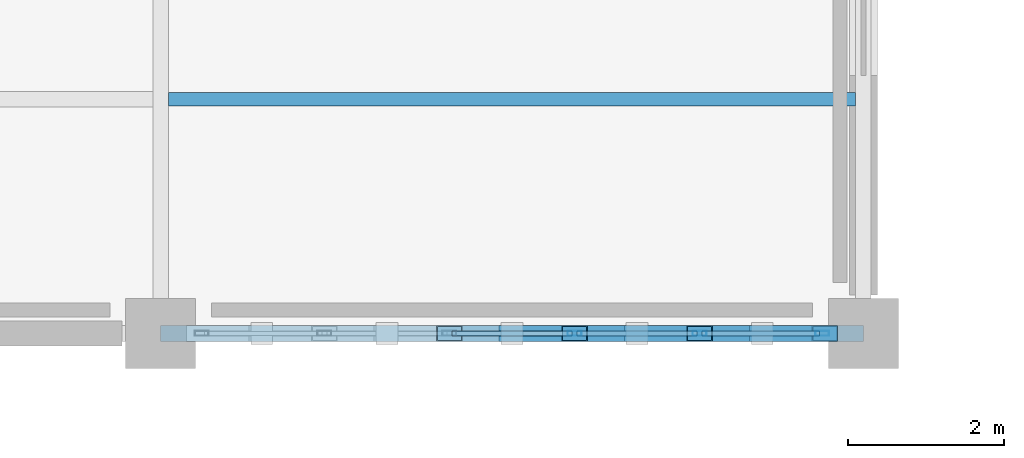
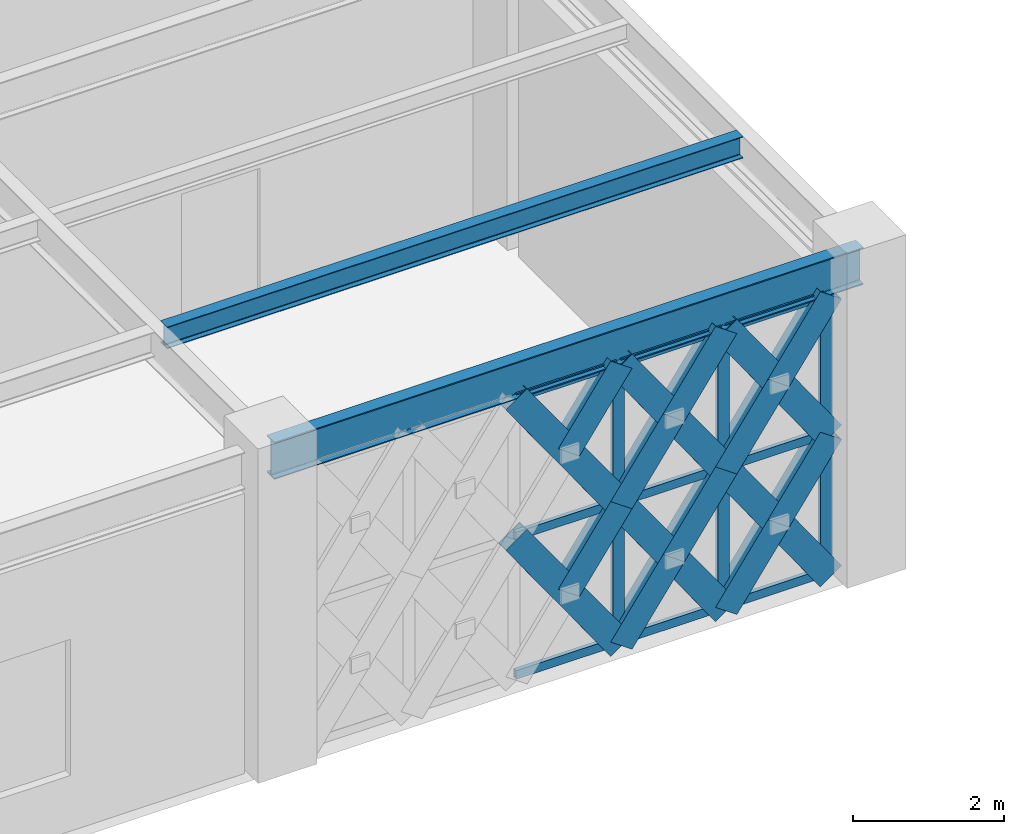
# One storey, part 10 of 166: 28 members, 2 beams, 1 element without a shape of its own.
"""IFC4 building model written with IfcOpenShell, lengths in metres."""

from ifc_helpers import new_model, si_unit, direction, frame, origin, origin_2d, place, context, subcontext, project, spatial, hollow_rectangle, i_section, extrude, material, material_profile, profile_set, type_object, element, aggregate, save


model = new_model("IFC4")

# Units and contexts
model_context = context("Model", 3, precision=1e-05, world=origin(), true_north=direction((0.0, 1.0)))
body_context = subcontext(model_context, "Body", "Model", "MODEL_VIEW")
ifc_project = project(units=[si_unit("LENGTHUNIT", "METRE"), si_unit("AREAUNIT", "SQUARE_METRE"), si_unit("VOLUMEUNIT", "CUBIC_METRE"), si_unit("PLANEANGLEUNIT", "RADIAN"), si_unit("MASSUNIT", "GRAM", prefix="KILO")], contexts=[model_context])

# Site, building, storey
site_placement = place(None, origin())
site = spatial("IfcSite", under=ifc_project, at=site_placement, CompositionType="ELEMENT")
building_placement = place(site_placement, origin())
building = spatial("IfcBuilding", under=site, at=building_placement, Name="Haizhuo Lancet Aquarium", CompositionType="ELEMENT")
storey_placement = place(building_placement, frame((0.0, 0.0, 5.39990234375)))
storey = spatial("IfcBuildingStorey", under=building, at=storey_placement, Name="L01", CompositionType="ELEMENT", Elevation=5.39990234375)

# Beam
ifc_material_1 = material(Name="Steel S355", Category="steel")
ifc_material_profile_1 = material_profile(ifc_material_1, i_section(OverallWidth=0.199951171875, OverallDepth=0.60009765625, WebThickness=0.010986328125, FlangeThickness=0.01708984375, FilletRadius=0.02197265625, at=origin_2d()), Name="HN 600x200x11x17")
ifc_profile_set_1 = profile_set([ifc_material_profile_1], Name="Steel S355")
beam_type_1 = type_object("IfcBeamType", Name="BM-ST-HN600", PredefinedType="BEAM", material=ifc_profile_set_1)
beam_1_placement = place(storey_placement, frame((-45.0, -36.0, 4.840087890625), z_axis=(1.0, 0.0, 0.0), x_axis=(0.0, 1.0, 0.0)))
element("IfcBeam", 1, at=beam_1_placement, inside=storey, type_object=beam_type_1, Name="L01 V6 primary girder BM-L01-V6-022", PredefinedType="BEAM", context=body_context, shape_type="SweptSolid", body=[
    extrude(i_section(OverallWidth=0.199951171875, OverallDepth=0.60009765625, WebThickness=0.010986328125, FlangeThickness=0.01708984375, FilletRadius=0.02197265625, at=origin_2d()), origin(), (0.0, 0.0, 1.0), 9.0),
])

# Curtain wall, members
ifc_material_2 = material(Name="Aluminium 6063-T6", Category="aluminium")
curtain_wall_type = type_object("IfcCurtainWallType", Name="CWD-8010x4540", PredefinedType="NOTDEFINED", material=ifc_material_2)
curtain_wall_placement = place(storey_placement, origin())
curtain_wall = element("IfcCurtainWall", 2, at=curtain_wall_placement, inside=storey, type_object=curtain_wall_type, Name="L01 curtain wall CW-V6-L01-208", PredefinedType="NOTDEFINED")
ifc_material_profile_2 = material_profile(ifc_material_2, hollow_rectangle(XDim=0.06494140625, YDim=0.179931640625, WallThickness=0.00390625, at=origin_2d()), Name="ALU-M 65x180x4")
ifc_profile_set_2 = profile_set([ifc_material_profile_2], Name="Aluminium 6063-T6")
member_type_1 = type_object("IfcMemberType", Name="CW-MUL-1", PredefinedType="MULLION", material=ifc_profile_set_2)
member_1_placement = place(storey_placement, frame((-36.527099609375, -36.0, 0.0), z_axis=(0.0, 0.0, 1.0), x_axis=(0.0, -1.0, 0.0)))
member_1 = element("IfcMember", 3, at=member_1_placement, type_object=member_type_1, Name="CWD-80x45 mullion 1", PredefinedType="MULLION", context=body_context, shape_type="SweptSolid", body=[
    extrude(hollow_rectangle(XDim=0.06494140625, YDim=0.179931640625, WallThickness=0.00390625, at=origin_2d()), origin(), (0.0, 0.0, 1.0), 4.5400390625),
])
member_2_placement = place(storey_placement, frame((-38.096923828125, -36.0, 0.0), z_axis=(0.0, 0.0, 1.0), x_axis=(0.0, -1.0, 0.0)))
member_2 = element("IfcMember", 4, at=member_2_placement, type_object=member_type_1, Name="CWD-80x45 mullion 2", PredefinedType="MULLION", context=body_context, shape_type="SweptSolid", body=[
    extrude(hollow_rectangle(XDim=0.06494140625, YDim=0.179931640625, WallThickness=0.00390625, at=origin_2d()), origin(), (0.0, 0.0, 1.0), 4.5400390625),
])
member_3_placement = place(storey_placement, frame((-39.698974609375, -36.0, 0.0), z_axis=(0.0, 0.0, 1.0), x_axis=(0.0, -1.0, 0.0)))
member_3 = element("IfcMember", 5, at=member_3_placement, type_object=member_type_1, Name="CWD-80x45 mullion 3", PredefinedType="MULLION", context=body_context, shape_type="SweptSolid", body=[
    extrude(hollow_rectangle(XDim=0.06494140625, YDim=0.179931640625, WallThickness=0.00390625, at=origin_2d()), origin(), (0.0, 0.0, 1.0), 4.5400390625),
])
ifc_material_profile_3 = material_profile(ifc_material_2, hollow_rectangle(XDim=0.06494140625, YDim=0.139892578125, WallThickness=0.00390625, at=origin_2d()), Name="ALU-T 65x140x4")
ifc_profile_set_3 = profile_set([ifc_material_profile_3], Name="Aluminium 6063-T6")
member_type_2 = type_object("IfcMemberType", Name="CW-TRN-1", PredefinedType="NOTDEFINED", material=ifc_profile_set_3)
member_4_placement = place(storey_placement, frame((-36.56005859375, -36.0, 0.033203125), z_axis=(-1.0, 0.0, 0.0), x_axis=(0.0, -1.0, 0.0)))
member_4 = element("IfcMember", 6, at=member_4_placement, type_object=member_type_2, Name="CWD-80x45 transom 1.1", ObjectType="TRANSOM", PredefinedType="USERDEFINED", context=body_context, shape_type="SweptSolid", body=[
    extrude(hollow_rectangle(XDim=0.06494140625, YDim=0.139892578125, WallThickness=0.00390625, at=origin_2d()), origin(), (0.0, 0.0, 1.0), 1.50390625),
])
member_5_placement = place(storey_placement, frame((-36.56005859375, -36.0, 2.27001953125), z_axis=(-1.0, 0.0, 0.0), x_axis=(0.0, -1.0, 0.0)))
member_5 = element("IfcMember", 7, at=member_5_placement, type_object=member_type_2, Name="CWD-80x45 transom 1.2", ObjectType="TRANSOM", PredefinedType="USERDEFINED", context=body_context, shape_type="SweptSolid", body=[
    extrude(hollow_rectangle(XDim=0.06494140625, YDim=0.139892578125, WallThickness=0.00390625, at=origin_2d()), origin(), (0.0, 0.0, 1.0), 1.50390625),
])
member_6_placement = place(storey_placement, frame((-36.56005859375, -36.0, 4.507080078125), z_axis=(-1.0, 0.0, 0.0), x_axis=(0.0, -1.0, 0.0)))
member_6 = element("IfcMember", 8, at=member_6_placement, type_object=member_type_2, Name="CWD-80x45 transom 1.3", ObjectType="TRANSOM", PredefinedType="USERDEFINED", context=body_context, shape_type="SweptSolid", body=[
    extrude(hollow_rectangle(XDim=0.06494140625, YDim=0.139892578125, WallThickness=0.00390625, at=origin_2d()), origin(), (0.0, 0.0, 1.0), 1.50390625),
])
member_7_placement = place(storey_placement, frame((-38.1298828125, -36.0, 0.033203125), z_axis=(-1.0, 0.0, 0.0), x_axis=(0.0, -1.0, 0.0)))
member_7 = element("IfcMember", 9, at=member_7_placement, type_object=member_type_2, Name="CWD-80x45 transom 2.1", ObjectType="TRANSOM", PredefinedType="USERDEFINED", context=body_context, shape_type="SweptSolid", body=[
    extrude(hollow_rectangle(XDim=0.06494140625, YDim=0.139892578125, WallThickness=0.00390625, at=origin_2d()), origin(), (0.0, 0.0, 1.0), 1.5361328125),
])
member_8_placement = place(storey_placement, frame((-38.1298828125, -36.0, 2.27001953125), z_axis=(-1.0, 0.0, 0.0), x_axis=(0.0, -1.0, 0.0)))
member_8 = element("IfcMember", 10, at=member_8_placement, type_object=member_type_2, Name="CWD-80x45 transom 2.2", ObjectType="TRANSOM", PredefinedType="USERDEFINED", context=body_context, shape_type="SweptSolid", body=[
    extrude(hollow_rectangle(XDim=0.06494140625, YDim=0.139892578125, WallThickness=0.00390625, at=origin_2d()), origin(), (0.0, 0.0, 1.0), 1.5361328125),
])
member_9_placement = place(storey_placement, frame((-38.1298828125, -36.0, 4.507080078125), z_axis=(-1.0, 0.0, 0.0), x_axis=(0.0, -1.0, 0.0)))
member_9 = element("IfcMember", 11, at=member_9_placement, type_object=member_type_2, Name="CWD-80x45 transom 2.3", ObjectType="TRANSOM", PredefinedType="USERDEFINED", context=body_context, shape_type="SweptSolid", body=[
    extrude(hollow_rectangle(XDim=0.06494140625, YDim=0.139892578125, WallThickness=0.00390625, at=origin_2d()), origin(), (0.0, 0.0, 1.0), 1.5361328125),
])
member_10_placement = place(storey_placement, frame((-39.73095703125, -36.0, 0.033203125), z_axis=(-1.0, 0.0, 0.0), x_axis=(0.0, -1.0, 0.0)))
member_10 = element("IfcMember", 12, at=member_10_placement, type_object=member_type_2, Name="CWD-80x45 transom 3.1", ObjectType="TRANSOM", PredefinedType="USERDEFINED", context=body_context, shape_type="SweptSolid", body=[
    extrude(hollow_rectangle(XDim=0.06494140625, YDim=0.139892578125, WallThickness=0.00390625, at=origin_2d()), origin(), (0.0, 0.0, 1.0), 1.5380859375),
])
member_11_placement = place(storey_placement, frame((-39.73095703125, -36.0, 2.27001953125), z_axis=(-1.0, 0.0, 0.0), x_axis=(0.0, -1.0, 0.0)))
member_11 = element("IfcMember", 13, at=member_11_placement, type_object=member_type_2, Name="CWD-80x45 transom 3.2", ObjectType="TRANSOM", PredefinedType="USERDEFINED", context=body_context, shape_type="SweptSolid", body=[
    extrude(hollow_rectangle(XDim=0.06494140625, YDim=0.139892578125, WallThickness=0.00390625, at=origin_2d()), origin(), (0.0, 0.0, 1.0), 1.5380859375),
])
member_12_placement = place(storey_placement, frame((-39.73095703125, -36.0, 4.507080078125), z_axis=(-1.0, 0.0, 0.0), x_axis=(0.0, -1.0, 0.0)))
member_12 = element("IfcMember", 14, at=member_12_placement, type_object=member_type_2, Name="CWD-80x45 transom 3.3", ObjectType="TRANSOM", PredefinedType="USERDEFINED", context=body_context, shape_type="SweptSolid", body=[
    extrude(hollow_rectangle(XDim=0.06494140625, YDim=0.139892578125, WallThickness=0.00390625, at=origin_2d()), origin(), (0.0, 0.0, 1.0), 1.5380859375),
])
aggregate(curtain_wall, [member_1, member_2, member_3, member_4, member_5, member_6, member_7, member_8, member_9, member_10, member_11, member_12])

# Beam
ifc_material_profile_4 = material_profile(ifc_material_1, i_section(OverallWidth=0.175048828125, OverallDepth=0.35009765625, WebThickness=0.007080078125, FlangeThickness=0.010986328125, FilletRadius=0.013916015625, at=origin_2d()), Name="HN 350x175x7x11")
ifc_profile_set_4 = profile_set([ifc_material_profile_4], Name="Steel S355")
beam_type_2 = type_object("IfcBeamType", Name="JST-ST-HN350", PredefinedType="JOIST", material=ifc_profile_set_4)
beam_2_placement = place(storey_placement, frame((-44.89990234375, -33.0, 4.965087890625), z_axis=(1.0, 0.0, 0.0), x_axis=(0.0, 1.0, 0.0)))
element("IfcBeam", 15, at=beam_2_placement, inside=storey, type_object=beam_type_2, Name="L01 V6 secondary floor joist 16", PredefinedType="JOIST", context=body_context, shape_type="SweptSolid", body=[
    extrude(i_section(OverallWidth=0.175048828125, OverallDepth=0.35009765625, WebThickness=0.007080078125, FlangeThickness=0.010986328125, FilletRadius=0.013916015625, at=origin_2d()), origin(), (0.0, 0.0, 1.0), 8.7998046875),
])

# Members
ifc_material_profile_5 = material_profile(ifc_material_1, hollow_rectangle(XDim=0.199951171875, YDim=0.39990234375, WallThickness=0.011962890625, at=origin_2d()), Name="RHS 200x400x12")
ifc_profile_set_5 = profile_set([ifc_material_profile_5], Name="Steel S355")
member_type_3 = type_object("IfcMemberType", Name="MEM-LB-RHS200x400", PredefinedType="BRACE", material=ifc_profile_set_5)
member_13_placement = place(storey_placement, frame((-36.4951171875, -36.0, 0.0), z_axis=(-0.576548637348, 0.0, 0.81706283037), x_axis=(0.0, -1.0, 0.0)))
element("IfcMember", 16, at=member_13_placement, inside=storey, type_object=member_type_3, Name="Gothic lancet continuous diagonal brace CW-V6-L01-208 1A", PredefinedType="BRACE", context=body_context, shape_type="SweptSolid", body=[
    extrude(hollow_rectangle(XDim=0.199951171875, YDim=0.39990234375, WallThickness=0.011962890625, at=origin_2d()), origin(), (0.0, 0.0, 1.0), 2.7783203125),
])
for number, where, z_axis, x_axis, name in (
    (17, (-38.096923828125, -36.0, 0.0), (0.576607297585, 0.0, 0.817021434463), (0.0, 1.0, 0.0), "Gothic lancet split diagonal brace CW-V6-L01-208 1B1"),
    (18, (-37.2958984375, -36.0, 1.135009765625), (0.576489968194, 0.0, 0.81710422626), (0.0, 1.0, 0.0), "Gothic lancet split diagonal brace CW-V6-L01-208 1B2"),
):
    element("IfcMember", number, at=place(storey_placement, frame(where, z_axis=z_axis, x_axis=x_axis)), inside=storey, type_object=member_type_3, Name=name, PredefinedType="BRACE", context=body_context, shape_type="SweptSolid", body=[
        extrude(hollow_rectangle(XDim=0.199951171875, YDim=0.39990234375, WallThickness=0.011962890625, at=origin_2d()), origin(), (0.0, 0.0, 1.0), 1.38916015625),
    ])
member_14_placement = place(storey_placement, frame((-36.4951171875, -36.0, 2.27001953125), z_axis=(-0.576548637348, 0.0, 0.81706283037), x_axis=(0.0, -1.0, 0.0)))
element("IfcMember", 19, at=member_14_placement, inside=storey, type_object=member_type_3, Name="Gothic lancet continuous diagonal brace CW-V6-L01-208 2A", PredefinedType="BRACE", context=body_context, shape_type="SweptSolid", body=[
    extrude(hollow_rectangle(XDim=0.199951171875, YDim=0.39990234375, WallThickness=0.011962890625, at=origin_2d()), origin(), (0.0, 0.0, 1.0), 2.7783203125),
])
for number, where, z_axis, x_axis, name in (
    (20, (-38.096923828125, -36.0, 2.27001953125), (0.576607297585, 0.0, 0.817021434463), (0.0, 1.0, 0.0), "Gothic lancet split diagonal brace CW-V6-L01-208 2B1"),
    (21, (-37.2958984375, -36.0, 3.405029296875), (0.576489968194, 0.0, 0.81710422626), (0.0, 1.0, 0.0), "Gothic lancet split diagonal brace CW-V6-L01-208 2B2"),
):
    element("IfcMember", number, at=place(storey_placement, frame(where, z_axis=z_axis, x_axis=x_axis)), inside=storey, type_object=member_type_3, Name=name, PredefinedType="BRACE", context=body_context, shape_type="SweptSolid", body=[
        extrude(hollow_rectangle(XDim=0.199951171875, YDim=0.39990234375, WallThickness=0.011962890625, at=origin_2d()), origin(), (0.0, 0.0, 1.0), 1.38916015625),
    ])
member_15_placement = place(storey_placement, frame((-38.096923828125, -36.0, 0.0), z_axis=(-0.576607297585, 0.0, 0.817021434463), x_axis=(0.0, -1.0, 0.0)))
element("IfcMember", 22, at=member_15_placement, inside=storey, type_object=member_type_3, Name="Gothic lancet continuous diagonal brace CW-V6-L01-208 3A", PredefinedType="BRACE", context=body_context, shape_type="SweptSolid", body=[
    extrude(hollow_rectangle(XDim=0.199951171875, YDim=0.39990234375, WallThickness=0.011962890625, at=origin_2d()), origin(), (0.0, 0.0, 1.0), 2.7783203125),
])
for number, where, z_axis, x_axis, name in (
    (23, (-39.698974609375, -36.0, 0.0), (0.576607297585, 0.0, 0.817021434463), (0.0, 1.0, 0.0), "Gothic lancet split diagonal brace CW-V6-L01-208 3B1"),
    (24, (-38.89794921875, -36.0, 1.135009765625), (0.576607297585, 0.0, 0.817021434463), (0.0, 1.0, 0.0), "Gothic lancet split diagonal brace CW-V6-L01-208 3B2"),
):
    element("IfcMember", number, at=place(storey_placement, frame(where, z_axis=z_axis, x_axis=x_axis)), inside=storey, type_object=member_type_3, Name=name, PredefinedType="BRACE", context=body_context, shape_type="SweptSolid", body=[
        extrude(hollow_rectangle(XDim=0.199951171875, YDim=0.39990234375, WallThickness=0.011962890625, at=origin_2d()), origin(), (0.0, 0.0, 1.0), 1.38916015625),
    ])
member_16_placement = place(storey_placement, frame((-38.096923828125, -36.0, 2.27001953125), z_axis=(-0.576607297585, 0.0, 0.817021434463), x_axis=(0.0, -1.0, 0.0)))
element("IfcMember", 25, at=member_16_placement, inside=storey, type_object=member_type_3, Name="Gothic lancet continuous diagonal brace CW-V6-L01-208 4A", PredefinedType="BRACE", context=body_context, shape_type="SweptSolid", body=[
    extrude(hollow_rectangle(XDim=0.199951171875, YDim=0.39990234375, WallThickness=0.011962890625, at=origin_2d()), origin(), (0.0, 0.0, 1.0), 2.7783203125),
])
for number, where, z_axis, x_axis, name in (
    (26, (-39.698974609375, -36.0, 2.27001953125), (0.576607297585, 0.0, 0.817021434463), (0.0, 1.0, 0.0), "Gothic lancet split diagonal brace CW-V6-L01-208 4B1"),
    (27, (-38.89794921875, -36.0, 3.405029296875), (0.576607297585, 0.0, 0.817021434463), (0.0, 1.0, 0.0), "Gothic lancet split diagonal brace CW-V6-L01-208 4B2"),
):
    element("IfcMember", number, at=place(storey_placement, frame(where, z_axis=z_axis, x_axis=x_axis)), inside=storey, type_object=member_type_3, Name=name, PredefinedType="BRACE", context=body_context, shape_type="SweptSolid", body=[
        extrude(hollow_rectangle(XDim=0.199951171875, YDim=0.39990234375, WallThickness=0.011962890625, at=origin_2d()), origin(), (0.0, 0.0, 1.0), 1.38916015625),
    ])
member_17_placement = place(storey_placement, frame((-39.698974609375, -36.0, 0.0), z_axis=(-0.576607297585, 0.0, 0.817021434463), x_axis=(0.0, -1.0, 0.0)))
element("IfcMember", 28, at=member_17_placement, inside=storey, type_object=member_type_3, Name="Gothic lancet continuous diagonal brace CW-V6-L01-208 5A", PredefinedType="BRACE", context=body_context, shape_type="SweptSolid", body=[
    extrude(hollow_rectangle(XDim=0.199951171875, YDim=0.39990234375, WallThickness=0.011962890625, at=origin_2d()), origin(), (0.0, 0.0, 1.0), 2.7783203125),
])
member_18_placement = place(storey_placement, frame((-40.5, -36.0, 1.135009765625), z_axis=(0.576607297585, 0.0, 0.817021434463), x_axis=(0.0, 1.0, 0.0)))
element("IfcMember", 29, at=member_18_placement, inside=storey, type_object=member_type_3, Name="Gothic lancet split diagonal brace CW-V6-L01-208 5B2", PredefinedType="BRACE", context=body_context, shape_type="SweptSolid", body=[
    extrude(hollow_rectangle(XDim=0.199951171875, YDim=0.39990234375, WallThickness=0.011962890625, at=origin_2d()), origin(), (0.0, 0.0, 1.0), 1.38916015625),
])
member_19_placement = place(storey_placement, frame((-39.698974609375, -36.0, 2.27001953125), z_axis=(-0.576607297585, 0.0, 0.817021434463), x_axis=(0.0, -1.0, 0.0)))
element("IfcMember", 30, at=member_19_placement, inside=storey, type_object=member_type_3, Name="Gothic lancet continuous diagonal brace CW-V6-L01-208 6A", PredefinedType="BRACE", context=body_context, shape_type="SweptSolid", body=[
    extrude(hollow_rectangle(XDim=0.199951171875, YDim=0.39990234375, WallThickness=0.011962890625, at=origin_2d()), origin(), (0.0, 0.0, 1.0), 2.7783203125),
])
member_20_placement = place(storey_placement, frame((-40.5, -36.0, 3.405029296875), z_axis=(0.576607297585, 0.0, 0.817021434463), x_axis=(0.0, 1.0, 0.0)))
element("IfcMember", 31, at=member_20_placement, inside=storey, type_object=member_type_3, Name="Gothic lancet split diagonal brace CW-V6-L01-208 6B2", PredefinedType="BRACE", context=body_context, shape_type="SweptSolid", body=[
    extrude(hollow_rectangle(XDim=0.199951171875, YDim=0.39990234375, WallThickness=0.011962890625, at=origin_2d()), origin(), (0.0, 0.0, 1.0), 1.38916015625),
])

save(model, "model.ifc")
